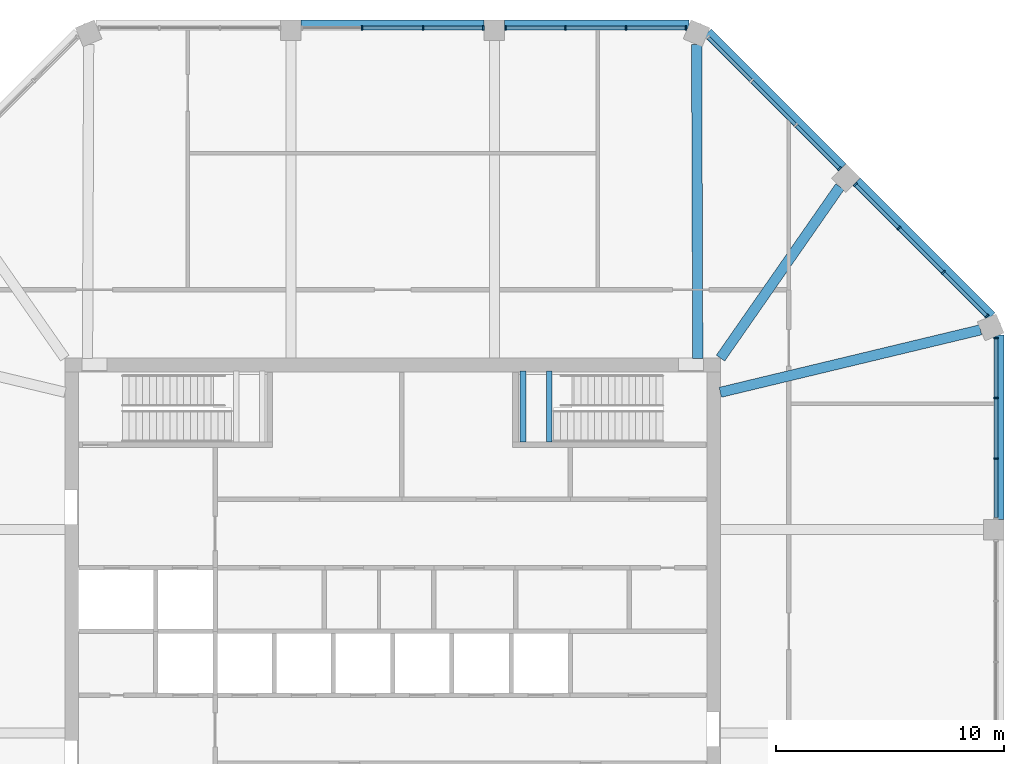
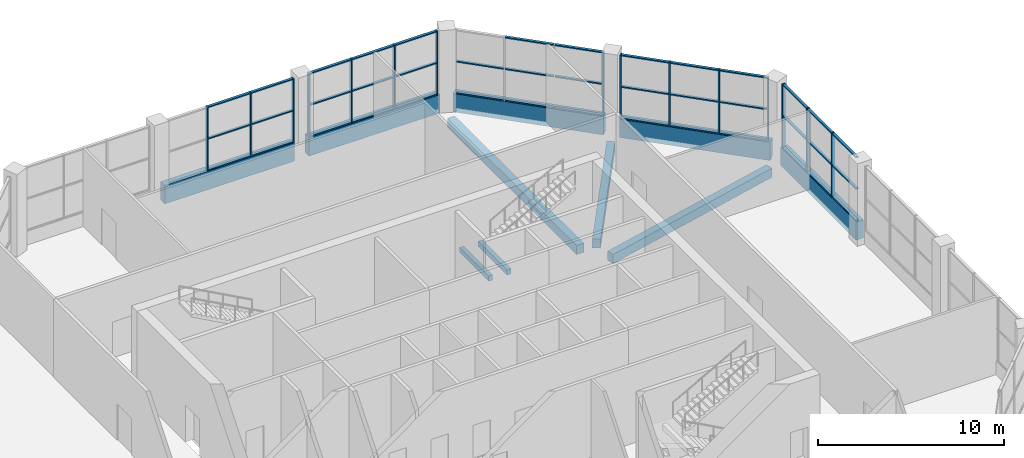
# One storey, part 7 of 15: 56 members, 10 beams, 5 elements without a shape of their own.
"""IFC4 building model written with IfcOpenShell, lengths in metres."""

from ifc_helpers import new_model, si_unit, direction, frame, origin, origin_2d, place, context, subcontext, project, spatial, rectangle, extrude, material, material_profile, profile_set, type_object, element, aggregate, save


model = new_model("IFC4")

# Units and contexts
model_context = context("Model", 3, precision=1e-05, world=origin(), true_north=direction((0.0, 1.0)))
body_context = subcontext(model_context, "Body", "Model", "MODEL_VIEW")
ifc_project = project(units=[si_unit("LENGTHUNIT", "METRE"), si_unit("AREAUNIT", "SQUARE_METRE"), si_unit("VOLUMEUNIT", "CUBIC_METRE"), si_unit("PLANEANGLEUNIT", "RADIAN"), si_unit("MASSUNIT", "GRAM", prefix="KILO")], contexts=[model_context])

# Site, building, storey
site_placement = place(None, origin())
site = spatial("IfcSite", under=ifc_project, at=site_placement, CompositionType="ELEMENT")
building_placement = place(site_placement, origin())
building = spatial("IfcBuilding", under=site, at=building_placement, Name="Msitu Wima Residences", CompositionType="ELEMENT")
storey_placement = place(building_placement, frame((0.0, 0.0, 314.699951171875)))
storey = spatial("IfcBuildingStorey", under=building, at=storey_placement, Name="L73", CompositionType="ELEMENT", Elevation=314.699951171875)

# Beams
ifc_material_1 = material(Name="Concrete C50/60", Category="concrete")
ifc_material_profile_1 = material_profile(ifc_material_1, rectangle(XDim=0.449951171875, YDim=0.60009765625, at=origin_2d()), Name="RC 450x600")
ifc_profile_set_1 = profile_set([ifc_material_profile_1], Name="Concrete C50/60")
beam_type_1 = type_object("IfcBeamType", Name="Beam RC 450x600 Concrete C50/60", PredefinedType="BEAM", material=ifc_profile_set_1)
beam_1_placement = place(storey_placement, frame((25.819091796875, 13.242431640625, -0.599853515625), z_axis=(-0.972353359268, -0.233514335148, 0.0), x_axis=(0.233514335148, -0.972353359268, 0.0)))
element("IfcBeam", 1, at=beam_1_placement, inside=storey, type_object=beam_type_1, Name="Beam L73 C-NE0", PredefinedType="BEAM", context=body_context, shape_type="SweptSolid", body=[
    extrude(rectangle(XDim=0.449951171875, YDim=0.60009765625, at=origin_2d()), origin(), (0.0, 0.0, 1.0), 11.755615234375),
])
beam_2_placement = place(storey_placement, frame((19.6416015625, 19.52783203125, -0.599853515625), z_axis=(-0.571427822633, -0.820652328042, 0.0), x_axis=(0.820652328042, -0.571427822633, 0.0)))
element("IfcBeam", 2, at=beam_2_placement, inside=storey, type_object=beam_type_1, Name="Beam L73 C-NE1", PredefinedType="BEAM", context=body_context, shape_type="SweptSolid", body=[
    extrude(rectangle(XDim=0.449951171875, YDim=0.60009765625, at=origin_2d()), origin(), (0.0, 0.0, 1.0), 9.173095703125),
])
beam_3_placement = place(storey_placement, frame((13.3505859375, 25.774169921875, -0.599853515625), z_axis=(0.003594933206, -0.999993538207, 0.0), x_axis=(0.999993538207, 0.003594933206, 0.0)))
element("IfcBeam", 3, at=beam_3_placement, inside=storey, type_object=beam_type_1, Name="Beam L73 C-N0", PredefinedType="BEAM", context=body_context, shape_type="SweptSolid", body=[
    extrude(rectangle(XDim=0.449951171875, YDim=0.60009765625, at=origin_2d()), origin(), (0.0, 0.0, 1.0), 13.7861328125),
])
ifc_material_2 = material(Name="Concrete C40/50", Category="concrete")
ifc_material_profile_2 = material_profile(ifc_material_2, rectangle(XDim=0.25, YDim=0.35009765625, at=origin_2d()), Name="RC 250x350")
ifc_profile_set_2 = profile_set([ifc_material_profile_2], Name="Concrete C40/50")
beam_type_2 = type_object("IfcBeamType", Name="Landing beam RC 250x350", PredefinedType="BEAM", material=ifc_profile_set_2)
for number, where, z_axis, x_axis, name in (
    (4, (6.875, 8.324951171875, 2.406982421875), (0.0, 1.0, 0.0), (-1.0, 0.0, 0.0), "Stair 3 landing beam"),
    (5, (5.72509765625, 8.324951171875, 2.406982421875), (0.0, 1.0, 0.0), (-1.0, 0.0, 0.0), "Stair 3 landing beam"),
):
    element("IfcBeam", number, at=place(storey_placement, frame(where, z_axis=z_axis, x_axis=x_axis)), inside=storey, type_object=beam_type_2, Name=name, PredefinedType="BEAM", context=body_context, shape_type="SweptSolid", body=[
        extrude(rectangle(XDim=0.25, YDim=0.35009765625, at=origin_2d()), origin(), (0.0, 0.0, 1.0), 3.10009765625),
    ])

# Curtain wall, members
ifc_material_3 = material(Name="Anodised aluminium, bronze finish, solar control laminated double glazing", Category="aluminium")
curtain_wall_type = type_object("IfcCurtainWallType", Name="Curtain wall CW3 top lounge wall", PredefinedType="NOTDEFINED", material=ifc_material_3)
curtain_wall_1_placement = place(storey_placement, origin())
curtain_wall_1 = element("IfcCurtainWall", 6, at=curtain_wall_1_placement, inside=storey, type_object=curtain_wall_type, Name="Curtain wall CW3 L73 E2", PredefinedType="NOTDEFINED")
ifc_material_4 = material(Name="Anodised aluminium, bronze finish", Category="aluminium")
ifc_material_profile_3 = material_profile(ifc_material_4, rectangle(XDim=0.199951171875, YDim=0.074951171875, at=origin_2d()), Name="Mullion 75x200")
ifc_profile_set_3 = profile_set([ifc_material_profile_3], Name="Anodised aluminium, bronze finish")
member_type_1 = type_object("IfcMemberType", Name="Mullion CW3 75x200", PredefinedType="MULLION", material=ifc_profile_set_3)
member_1_placement = place(storey_placement, frame((26.5, 7.58544921875, 0.900146484375), z_axis=(0.0, 0.0, 1.0), x_axis=(-1.0, 0.0, 0.0)))
member_1 = element("IfcMember", 7, at=member_1_placement, type_object=member_type_1, Name="CW3 mullion 2", PredefinedType="MULLION", context=body_context, shape_type="SweptSolid", body=[
    extrude(rectangle(XDim=0.199951171875, YDim=0.074951171875, at=origin_2d()), origin(), (0.0, 0.0, 1.0), 4.199951171875),
])
member_2_placement = place(storey_placement, frame((26.5, 10.252197265625, 0.900146484375), z_axis=(0.0, 0.0, 1.0), x_axis=(-1.0, 0.0, 0.0)))
member_2 = element("IfcMember", 8, at=member_2_placement, type_object=member_type_1, Name="CW3 mullion 3", PredefinedType="MULLION", context=body_context, shape_type="SweptSolid", body=[
    extrude(rectangle(XDim=0.199951171875, YDim=0.074951171875, at=origin_2d()), origin(), (0.0, 0.0, 1.0), 4.199951171875),
])
member_3_placement = place(storey_placement, frame((26.5, 12.88134765625, 0.900146484375), z_axis=(0.0, 0.0, 1.0), x_axis=(-1.0, 0.0, 0.0)))
member_3 = element("IfcMember", 9, at=member_3_placement, type_object=member_type_1, Name="CW3 mullion 4", PredefinedType="MULLION", context=body_context, shape_type="SweptSolid", body=[
    extrude(rectangle(XDim=0.199951171875, YDim=0.074951171875, at=origin_2d()), origin(), (0.0, 0.0, 1.0), 4.199951171875),
])

curtain_wall_2_placement = place(storey_placement, origin())
curtain_wall_2 = element("IfcCurtainWall", 10, at=curtain_wall_2_placement, inside=storey, type_object=curtain_wall_type, Name="Curtain wall CW3 L73 NE0", PredefinedType="NOTDEFINED")
member_4_placement = place(storey_placement, frame((26.099853515625, 13.847412109375, 0.900146484375), z_axis=(0.0, 0.0, 1.0), x_axis=(-0.707106781187, -0.707106781187, 0.0)))
member_4 = element("IfcMember", 11, at=member_4_placement, type_object=member_type_1, Name="CW3 mullion 1", PredefinedType="MULLION", context=body_context, shape_type="SweptSolid", body=[
    extrude(rectangle(XDim=0.199951171875, YDim=0.074951171875, at=origin_2d()), origin(), (0.0, 0.0, 1.0), 4.199951171875),
])
member_5_placement = place(storey_placement, frame((24.181396484375, 15.765869140625, 0.900146484375), z_axis=(0.0, 0.0, 1.0), x_axis=(-0.707106781187, -0.707106781187, 0.0)))
member_5 = element("IfcMember", 12, at=member_5_placement, type_object=member_type_1, Name="CW3 mullion 2", PredefinedType="MULLION", context=body_context, shape_type="SweptSolid", body=[
    extrude(rectangle(XDim=0.199951171875, YDim=0.074951171875, at=origin_2d()), origin(), (0.0, 0.0, 1.0), 4.199951171875),
])
member_6_placement = place(storey_placement, frame((22.236572265625, 17.710693359375, 0.900146484375), z_axis=(0.0, 0.0, 1.0), x_axis=(-0.707106781187, -0.707106781187, 0.0)))
member_6 = element("IfcMember", 13, at=member_6_placement, type_object=member_type_1, Name="CW3 mullion 3", PredefinedType="MULLION", context=body_context, shape_type="SweptSolid", body=[
    extrude(rectangle(XDim=0.199951171875, YDim=0.074951171875, at=origin_2d()), origin(), (0.0, 0.0, 1.0), 4.199951171875),
])
member_7_placement = place(storey_placement, frame((20.318359375, 19.62890625, 0.900146484375), z_axis=(0.0, 0.0, 1.0), x_axis=(-0.707106781187, -0.707106781187, 0.0)))
member_7 = element("IfcMember", 14, at=member_7_placement, type_object=member_type_1, Name="CW3 mullion 4", PredefinedType="MULLION", context=body_context, shape_type="SweptSolid", body=[
    extrude(rectangle(XDim=0.199951171875, YDim=0.074951171875, at=origin_2d()), origin(), (0.0, 0.0, 1.0), 4.199951171875),
])

# Curtain wall, member
curtain_wall_3_placement = place(storey_placement, origin())
curtain_wall_3 = element("IfcCurtainWall", 15, at=curtain_wall_3_placement, inside=storey, type_object=curtain_wall_type, Name="Curtain wall CW3 L73 NE1", PredefinedType="NOTDEFINED")
member_8_placement = place(storey_placement, frame((19.62890625, 20.318359375, 0.900146484375), z_axis=(0.0, 0.0, 1.0), x_axis=(-0.707106720591, -0.707106841783, 0.0)))
member_8 = element("IfcMember", 16, at=member_8_placement, type_object=member_type_1, Name="CW3 mullion 1", PredefinedType="MULLION", context=body_context, shape_type="SweptSolid", body=[
    extrude(rectangle(XDim=0.199951171875, YDim=0.074951171875, at=origin_2d()), origin(), (0.0, 0.0, 1.0), 4.199951171875),
])

# Curtain wall, members
curtain_wall_4_placement = place(storey_placement, origin())
curtain_wall_4 = element("IfcCurtainWall", 17, at=curtain_wall_4_placement, inside=storey, type_object=curtain_wall_type, Name="Curtain wall CW3 L73 N0", PredefinedType="NOTDEFINED")
member_9_placement = place(storey_placement, frame((12.88134765625, 26.5, 0.900146484375), z_axis=(0.0, 0.0, 1.0), x_axis=(0.0, -1.0, 0.0)))
member_9 = element("IfcMember", 18, at=member_9_placement, type_object=member_type_1, Name="CW3 mullion 1", PredefinedType="MULLION", context=body_context, shape_type="SweptSolid", body=[
    extrude(rectangle(XDim=0.199951171875, YDim=0.074951171875, at=origin_2d()), origin(), (0.0, 0.0, 1.0), 4.199951171875),
])
member_10_placement = place(storey_placement, frame((10.252197265625, 26.5, 0.900146484375), z_axis=(0.0, 0.0, 1.0), x_axis=(0.0, -1.0, 0.0)))
member_10 = element("IfcMember", 19, at=member_10_placement, type_object=member_type_1, Name="CW3 mullion 2", PredefinedType="MULLION", context=body_context, shape_type="SweptSolid", body=[
    extrude(rectangle(XDim=0.199951171875, YDim=0.074951171875, at=origin_2d()), origin(), (0.0, 0.0, 1.0), 4.199951171875),
])
member_11_placement = place(storey_placement, frame((7.58544921875, 26.5, 0.900146484375), z_axis=(0.0, 0.0, 1.0), x_axis=(0.0, -1.0, 0.0)))
member_11 = element("IfcMember", 20, at=member_11_placement, type_object=member_type_1, Name="CW3 mullion 3", PredefinedType="MULLION", context=body_context, shape_type="SweptSolid", body=[
    extrude(rectangle(XDim=0.199951171875, YDim=0.074951171875, at=origin_2d()), origin(), (0.0, 0.0, 1.0), 4.199951171875),
])
member_12_placement = place(storey_placement, frame((4.9560546875, 26.5, 0.900146484375), z_axis=(0.0, 0.0, 1.0), x_axis=(0.0, -1.0, 0.0)))
member_12 = element("IfcMember", 21, at=member_12_placement, type_object=member_type_1, Name="CW3 mullion 4", PredefinedType="MULLION", context=body_context, shape_type="SweptSolid", body=[
    extrude(rectangle(XDim=0.199951171875, YDim=0.074951171875, at=origin_2d()), origin(), (0.0, 0.0, 1.0), 4.199951171875),
])

curtain_wall_5_placement = place(storey_placement, origin())
curtain_wall_5 = element("IfcCurtainWall", 22, at=curtain_wall_5_placement, inside=storey, type_object=curtain_wall_type, Name="Curtain wall CW3 L73 N1", PredefinedType="NOTDEFINED")
member_13_placement = place(storey_placement, frame((3.981201171875, 26.5, 0.900146484375), z_axis=(0.0, 0.0, 1.0), x_axis=(0.0, -1.0, 0.0)))
member_13 = element("IfcMember", 23, at=member_13_placement, type_object=member_type_1, Name="CW3 mullion 1", PredefinedType="MULLION", context=body_context, shape_type="SweptSolid", body=[
    extrude(rectangle(XDim=0.199951171875, YDim=0.074951171875, at=origin_2d()), origin(), (0.0, 0.0, 1.0), 4.199951171875),
])
member_14_placement = place(storey_placement, frame((1.339599609375, 26.5, 0.900146484375), z_axis=(0.0, 0.0, 1.0), x_axis=(0.0, -1.0, 0.0)))
member_14 = element("IfcMember", 24, at=member_14_placement, type_object=member_type_1, Name="CW3 mullion 2", PredefinedType="MULLION", context=body_context, shape_type="SweptSolid", body=[
    extrude(rectangle(XDim=0.199951171875, YDim=0.074951171875, at=origin_2d()), origin(), (0.0, 0.0, 1.0), 4.199951171875),
])
member_15_placement = place(storey_placement, frame((-1.339599609375, 26.5, 0.900146484375), z_axis=(0.0, 0.0, 1.0), x_axis=(0.0, -1.0, 0.0)))
member_15 = element("IfcMember", 25, at=member_15_placement, type_object=member_type_1, Name="CW3 mullion 3", PredefinedType="MULLION", context=body_context, shape_type="SweptSolid", body=[
    extrude(rectangle(XDim=0.199951171875, YDim=0.074951171875, at=origin_2d()), origin(), (0.0, 0.0, 1.0), 4.199951171875),
])

# Beams
ifc_material_profile_4 = material_profile(ifc_material_1, rectangle(XDim=0.449951171875, YDim=1.199951171875, at=origin_2d()), Name="RC 450x1200")
ifc_profile_set_4 = profile_set([ifc_material_profile_4], Name="Concrete C50/60")
beam_type_3 = type_object("IfcBeamType", Name="Spandrel RC 450x1200 Concrete C50/60", PredefinedType="SPANDREL", material=ifc_profile_set_4)
beam_4_placement = place(storey_placement, frame((26.625, 4.918701171875, 0.300048828125), z_axis=(0.0, 1.0, 0.0), x_axis=(-1.0, 0.0, 0.0)))
element("IfcBeam", 26, at=beam_4_placement, inside=storey, type_object=beam_type_3, Name="Spandrel L73 E2", PredefinedType="SPANDREL", context=body_context, shape_type="SweptSolid", body=[
    extrude(rectangle(XDim=0.449951171875, YDim=1.199951171875, at=origin_2d()), origin(), (0.0, 0.0, 1.0), 8.105224609375),
])
for number, where, z_axis, x_axis, name in (
    (27, (26.2890625, 13.8349609375, 0.300048828125), (-0.707106781187, 0.707106781187, 0.0), (-0.707106781187, -0.707106781187, 0.0), "Spandrel L73 NE0"),
    (28, (19.743896484375, 20.380126953125, 0.300048828125), (-0.707106781187, 0.707106781187, 0.0), (-0.707106781187, -0.707106781187, 0.0), "Spandrel L73 NE1"),
):
    element("IfcBeam", number, at=place(storey_placement, frame(where, z_axis=z_axis, x_axis=x_axis)), inside=storey, type_object=beam_type_3, Name=name, PredefinedType="SPANDREL", context=body_context, shape_type="SweptSolid", body=[
        extrude(rectangle(XDim=0.449951171875, YDim=1.199951171875, at=origin_2d()), origin(), (0.0, 0.0, 1.0), 8.3564453125),
    ])
beam_5_placement = place(storey_placement, frame((13.02392578125, 26.625, 0.300048828125), z_axis=(-1.0, 0.0, 0.0), x_axis=(0.0, -1.0, 0.0)))
element("IfcBeam", 29, at=beam_5_placement, inside=storey, type_object=beam_type_3, Name="Spandrel L73 N0", PredefinedType="SPANDREL", context=body_context, shape_type="SweptSolid", body=[
    extrude(rectangle(XDim=0.449951171875, YDim=1.199951171875, at=origin_2d()), origin(), (0.0, 0.0, 1.0), 8.105224609375),
])
beam_6_placement = place(storey_placement, frame((4.0185546875, 26.625, 0.300048828125), z_axis=(-1.0, 0.0, 0.0), x_axis=(0.0, -1.0, 0.0)))
element("IfcBeam", 30, at=beam_6_placement, inside=storey, type_object=beam_type_3, Name="Spandrel L73 N1", PredefinedType="SPANDREL", context=body_context, shape_type="SweptSolid", body=[
    extrude(rectangle(XDim=0.449951171875, YDim=1.199951171875, at=origin_2d()), origin(), (0.0, 0.0, 1.0), 8.037109375),
])

# Member
ifc_material_profile_5 = material_profile(ifc_material_4, rectangle(XDim=0.159912109375, YDim=0.074951171875, at=origin_2d()), Name="Transom 75x160")
ifc_profile_set_5 = profile_set([ifc_material_profile_5], Name="Anodised aluminium, bronze finish")
member_type_2 = type_object("IfcMemberType", Name="Transom CW3 75x160", PredefinedType="USERDEFINED", material=ifc_profile_set_5)
member_16_placement = place(storey_placement, frame((26.5, 4.99365234375, 0.9375), z_axis=(0.0, 1.0, 0.0), x_axis=(-1.0, 0.0, 0.0)))
member_16 = element("IfcMember", 31, at=member_16_placement, type_object=member_type_2, Name="CW3 transom 1.1", ObjectType="TRANSOM", PredefinedType="USERDEFINED", context=body_context, shape_type="SweptSolid", body=[
    extrude(rectangle(XDim=0.159912109375, YDim=0.074951171875, at=origin_2d()), origin(), (0.0, 0.0, 1.0), 2.55419921875),
])

member_17_placement = place(storey_placement, frame((26.5, 4.99365234375, 3.0), z_axis=(0.0, 1.0, 0.0), x_axis=(-1.0, 0.0, 0.0)))
member_17 = element("IfcMember", 32, at=member_17_placement, type_object=member_type_2, Name="CW3 transom 1.2", ObjectType="TRANSOM", PredefinedType="USERDEFINED", context=body_context, shape_type="SweptSolid", body=[
    extrude(rectangle(XDim=0.159912109375, YDim=0.074951171875, at=origin_2d()), origin(), (0.0, 0.0, 1.0), 2.55419921875),
])

member_18_placement = place(storey_placement, frame((26.5, 4.99365234375, 5.0625), z_axis=(0.0, 1.0, 0.0), x_axis=(-1.0, 0.0, 0.0)))
member_18 = element("IfcMember", 33, at=member_18_placement, type_object=member_type_2, Name="CW3 transom 1.3", ObjectType="TRANSOM", PredefinedType="USERDEFINED", context=body_context, shape_type="SweptSolid", body=[
    extrude(rectangle(XDim=0.159912109375, YDim=0.074951171875, at=origin_2d()), origin(), (0.0, 0.0, 1.0), 2.55419921875),
])

member_19_placement = place(storey_placement, frame((26.5, 7.622802734375, 0.9375), z_axis=(0.0, 1.0, 0.0), x_axis=(-1.0, 0.0, 0.0)))
member_19 = element("IfcMember", 34, at=member_19_placement, type_object=member_type_2, Name="CW3 transom 2.1", ObjectType="TRANSOM", PredefinedType="USERDEFINED", context=body_context, shape_type="SweptSolid", body=[
    extrude(rectangle(XDim=0.159912109375, YDim=0.074951171875, at=origin_2d()), origin(), (0.0, 0.0, 1.0), 2.591796875),
])

member_20_placement = place(storey_placement, frame((26.5, 7.622802734375, 3.0), z_axis=(0.0, 1.0, 0.0), x_axis=(-1.0, 0.0, 0.0)))
member_20 = element("IfcMember", 35, at=member_20_placement, type_object=member_type_2, Name="CW3 transom 2.2", ObjectType="TRANSOM", PredefinedType="USERDEFINED", context=body_context, shape_type="SweptSolid", body=[
    extrude(rectangle(XDim=0.159912109375, YDim=0.074951171875, at=origin_2d()), origin(), (0.0, 0.0, 1.0), 2.591796875),
])

member_21_placement = place(storey_placement, frame((26.5, 7.622802734375, 5.0625), z_axis=(0.0, 1.0, 0.0), x_axis=(-1.0, 0.0, 0.0)))
member_21 = element("IfcMember", 36, at=member_21_placement, type_object=member_type_2, Name="CW3 transom 2.3", ObjectType="TRANSOM", PredefinedType="USERDEFINED", context=body_context, shape_type="SweptSolid", body=[
    extrude(rectangle(XDim=0.159912109375, YDim=0.074951171875, at=origin_2d()), origin(), (0.0, 0.0, 1.0), 2.591796875),
])

member_22_placement = place(storey_placement, frame((26.5, 10.28955078125, 0.9375), z_axis=(0.0, 1.0, 0.0), x_axis=(-1.0, 0.0, 0.0)))
member_22 = element("IfcMember", 37, at=member_22_placement, type_object=member_type_2, Name="CW3 transom 3.1", ObjectType="TRANSOM", PredefinedType="USERDEFINED", context=body_context, shape_type="SweptSolid", body=[
    extrude(rectangle(XDim=0.159912109375, YDim=0.074951171875, at=origin_2d()), origin(), (0.0, 0.0, 1.0), 2.55419921875),
])

member_23_placement = place(storey_placement, frame((26.5, 10.28955078125, 3.0), z_axis=(0.0, 1.0, 0.0), x_axis=(-1.0, 0.0, 0.0)))
member_23 = element("IfcMember", 38, at=member_23_placement, type_object=member_type_2, Name="CW3 transom 3.2", ObjectType="TRANSOM", PredefinedType="USERDEFINED", context=body_context, shape_type="SweptSolid", body=[
    extrude(rectangle(XDim=0.159912109375, YDim=0.074951171875, at=origin_2d()), origin(), (0.0, 0.0, 1.0), 2.55419921875),
])

member_24_placement = place(storey_placement, frame((26.5, 10.28955078125, 5.0625), z_axis=(0.0, 1.0, 0.0), x_axis=(-1.0, 0.0, 0.0)))
member_24 = element("IfcMember", 39, at=member_24_placement, type_object=member_type_2, Name="CW3 transom 3.3", ObjectType="TRANSOM", PredefinedType="USERDEFINED", context=body_context, shape_type="SweptSolid", body=[
    extrude(rectangle(XDim=0.159912109375, YDim=0.074951171875, at=origin_2d()), origin(), (0.0, 0.0, 1.0), 2.55419921875),
])

aggregate(curtain_wall_1, [member_1, member_2, member_3, member_16, member_17, member_18, member_19, member_20, member_21, member_22, member_23, member_24])

member_25_placement = place(storey_placement, frame((26.0732421875, 13.8740234375, 0.9375), z_axis=(-0.707106781187, 0.707106781187, 0.0), x_axis=(-0.707106781187, -0.707106781187, 0.0)))
member_25 = element("IfcMember", 40, at=member_25_placement, type_object=member_type_2, Name="CW3 transom 1.1", ObjectType="TRANSOM", PredefinedType="USERDEFINED", context=body_context, shape_type="SweptSolid", body=[
    extrude(rectangle(XDim=0.159912109375, YDim=0.074951171875, at=origin_2d()), origin(), (0.0, 0.0, 1.0), 2.637939453125),
])

member_26_placement = place(storey_placement, frame((26.0732421875, 13.8740234375, 3.0), z_axis=(-0.707106781187, 0.707106781187, 0.0), x_axis=(-0.707106781187, -0.707106781187, 0.0)))
member_26 = element("IfcMember", 41, at=member_26_placement, type_object=member_type_2, Name="CW3 transom 1.2", ObjectType="TRANSOM", PredefinedType="USERDEFINED", context=body_context, shape_type="SweptSolid", body=[
    extrude(rectangle(XDim=0.159912109375, YDim=0.074951171875, at=origin_2d()), origin(), (0.0, 0.0, 1.0), 2.637939453125),
])

member_27_placement = place(storey_placement, frame((26.0732421875, 13.8740234375, 5.0625), z_axis=(-0.707106781187, 0.707106781187, 0.0), x_axis=(-0.707106781187, -0.707106781187, 0.0)))
member_27 = element("IfcMember", 42, at=member_27_placement, type_object=member_type_2, Name="CW3 transom 1.3", ObjectType="TRANSOM", PredefinedType="USERDEFINED", context=body_context, shape_type="SweptSolid", body=[
    extrude(rectangle(XDim=0.159912109375, YDim=0.074951171875, at=origin_2d()), origin(), (0.0, 0.0, 1.0), 2.637939453125),
])

member_28_placement = place(storey_placement, frame((24.155029296875, 15.792236328125, 0.9375), z_axis=(-0.707106781187, 0.707106781187, 0.0), x_axis=(-0.707106781187, -0.707106781187, 0.0)))
member_28 = element("IfcMember", 43, at=member_28_placement, type_object=member_type_2, Name="CW3 transom 2.1", ObjectType="TRANSOM", PredefinedType="USERDEFINED", context=body_context, shape_type="SweptSolid", body=[
    extrude(rectangle(XDim=0.159912109375, YDim=0.074951171875, at=origin_2d()), origin(), (0.0, 0.0, 1.0), 2.675537109375),
])

member_29_placement = place(storey_placement, frame((24.155029296875, 15.792236328125, 3.0), z_axis=(-0.707106781187, 0.707106781187, 0.0), x_axis=(-0.707106781187, -0.707106781187, 0.0)))
member_29 = element("IfcMember", 44, at=member_29_placement, type_object=member_type_2, Name="CW3 transom 2.2", ObjectType="TRANSOM", PredefinedType="USERDEFINED", context=body_context, shape_type="SweptSolid", body=[
    extrude(rectangle(XDim=0.159912109375, YDim=0.074951171875, at=origin_2d()), origin(), (0.0, 0.0, 1.0), 2.675537109375),
])

member_30_placement = place(storey_placement, frame((24.155029296875, 15.792236328125, 5.0625), z_axis=(-0.707106781187, 0.707106781187, 0.0), x_axis=(-0.707106781187, -0.707106781187, 0.0)))
member_30 = element("IfcMember", 45, at=member_30_placement, type_object=member_type_2, Name="CW3 transom 2.3", ObjectType="TRANSOM", PredefinedType="USERDEFINED", context=body_context, shape_type="SweptSolid", body=[
    extrude(rectangle(XDim=0.159912109375, YDim=0.074951171875, at=origin_2d()), origin(), (0.0, 0.0, 1.0), 2.675537109375),
])

member_31_placement = place(storey_placement, frame((22.210205078125, 17.737060546875, 0.9375), z_axis=(-0.707060506079, 0.707153053266, 0.0), x_axis=(-0.707153053266, -0.707060506079, 0.0)))
member_31 = element("IfcMember", 46, at=member_31_placement, type_object=member_type_2, Name="CW3 transom 3.1", ObjectType="TRANSOM", PredefinedType="USERDEFINED", context=body_context, shape_type="SweptSolid", body=[
    extrude(rectangle(XDim=0.159912109375, YDim=0.074951171875, at=origin_2d()), origin(), (0.0, 0.0, 1.0), 2.637939453125),
])

member_32_placement = place(storey_placement, frame((22.210205078125, 17.737060546875, 3.0), z_axis=(-0.707060506079, 0.707153053266, 0.0), x_axis=(-0.707153053266, -0.707060506079, 0.0)))
member_32 = element("IfcMember", 47, at=member_32_placement, type_object=member_type_2, Name="CW3 transom 3.2", ObjectType="TRANSOM", PredefinedType="USERDEFINED", context=body_context, shape_type="SweptSolid", body=[
    extrude(rectangle(XDim=0.159912109375, YDim=0.074951171875, at=origin_2d()), origin(), (0.0, 0.0, 1.0), 2.637939453125),
])

member_33_placement = place(storey_placement, frame((22.210205078125, 17.737060546875, 5.0625), z_axis=(-0.707060506079, 0.707153053266, 0.0), x_axis=(-0.707153053266, -0.707060506079, 0.0)))
member_33 = element("IfcMember", 48, at=member_33_placement, type_object=member_type_2, Name="CW3 transom 3.3", ObjectType="TRANSOM", PredefinedType="USERDEFINED", context=body_context, shape_type="SweptSolid", body=[
    extrude(rectangle(XDim=0.159912109375, YDim=0.074951171875, at=origin_2d()), origin(), (0.0, 0.0, 1.0), 2.637939453125),
])

aggregate(curtain_wall_2, [member_4, member_5, member_6, member_7, member_25, member_26, member_27, member_28, member_29, member_30, member_31, member_32, member_33])

member_34_placement = place(storey_placement, frame((19.6025390625, 20.344970703125, 0.9375), z_axis=(-0.707153053266, 0.707060506079, 0.0), x_axis=(-0.707060506079, -0.707153053266, 0.0)))
member_34 = element("IfcMember", 49, at=member_34_placement, type_object=member_type_2, Name="CW3 transom 1.1", ObjectType="TRANSOM", PredefinedType="USERDEFINED", context=body_context, shape_type="SweptSolid", body=[
    extrude(rectangle(XDim=0.159912109375, YDim=0.074951171875, at=origin_2d()), origin(), (0.0, 0.0, 1.0), 2.637939453125),
])

member_35_placement = place(storey_placement, frame((19.6025390625, 20.344970703125, 3.0), z_axis=(-0.707153053266, 0.707060506079, 0.0), x_axis=(-0.707060506079, -0.707153053266, 0.0)))
member_35 = element("IfcMember", 50, at=member_35_placement, type_object=member_type_2, Name="CW3 transom 1.2", ObjectType="TRANSOM", PredefinedType="USERDEFINED", context=body_context, shape_type="SweptSolid", body=[
    extrude(rectangle(XDim=0.159912109375, YDim=0.074951171875, at=origin_2d()), origin(), (0.0, 0.0, 1.0), 2.637939453125),
])

member_36_placement = place(storey_placement, frame((19.6025390625, 20.344970703125, 5.0625), z_axis=(-0.707153053266, 0.707060506079, 0.0), x_axis=(-0.707060506079, -0.707153053266, 0.0)))
member_36 = element("IfcMember", 51, at=member_36_placement, type_object=member_type_2, Name="CW3 transom 1.3", ObjectType="TRANSOM", PredefinedType="USERDEFINED", context=body_context, shape_type="SweptSolid", body=[
    extrude(rectangle(XDim=0.159912109375, YDim=0.074951171875, at=origin_2d()), origin(), (0.0, 0.0, 1.0), 2.637939453125),
])

member_37_placement = place(storey_placement, frame((17.68408203125, 22.26318359375, 0.9375), z_axis=(-0.707106781187, 0.707106781187, 0.0), x_axis=(-0.707106781187, -0.707106781187, 0.0)))
member_37 = element("IfcMember", 52, at=member_37_placement, type_object=member_type_2, Name="CW3 transom 2.1", ObjectType="TRANSOM", PredefinedType="USERDEFINED", context=body_context, shape_type="SweptSolid", body=[
    extrude(rectangle(XDim=0.159912109375, YDim=0.074951171875, at=origin_2d()), origin(), (0.0, 0.0, 1.0), 2.675537109375),
])

member_38_placement = place(storey_placement, frame((17.68408203125, 22.26318359375, 3.0), z_axis=(-0.707106781187, 0.707106781187, 0.0), x_axis=(-0.707106781187, -0.707106781187, 0.0)))
member_38 = element("IfcMember", 53, at=member_38_placement, type_object=member_type_2, Name="CW3 transom 2.2", ObjectType="TRANSOM", PredefinedType="USERDEFINED", context=body_context, shape_type="SweptSolid", body=[
    extrude(rectangle(XDim=0.159912109375, YDim=0.074951171875, at=origin_2d()), origin(), (0.0, 0.0, 1.0), 2.675537109375),
])

member_39_placement = place(storey_placement, frame((17.68408203125, 22.26318359375, 5.0625), z_axis=(-0.707106781187, 0.707106781187, 0.0), x_axis=(-0.707106781187, -0.707106781187, 0.0)))
member_39 = element("IfcMember", 54, at=member_39_placement, type_object=member_type_2, Name="CW3 transom 2.3", ObjectType="TRANSOM", PredefinedType="USERDEFINED", context=body_context, shape_type="SweptSolid", body=[
    extrude(rectangle(XDim=0.159912109375, YDim=0.074951171875, at=origin_2d()), origin(), (0.0, 0.0, 1.0), 2.675537109375),
])

member_40_placement = place(storey_placement, frame((15.7392578125, 24.2080078125, 0.9375), z_axis=(-0.707106781187, 0.707106781187, 0.0), x_axis=(-0.707106781187, -0.707106781187, 0.0)))
member_40 = element("IfcMember", 55, at=member_40_placement, type_object=member_type_2, Name="CW3 transom 3.1", ObjectType="TRANSOM", PredefinedType="USERDEFINED", context=body_context, shape_type="SweptSolid", body=[
    extrude(rectangle(XDim=0.159912109375, YDim=0.074951171875, at=origin_2d()), origin(), (0.0, 0.0, 1.0), 2.637939453125),
])

member_41_placement = place(storey_placement, frame((15.7392578125, 24.2080078125, 3.0), z_axis=(-0.707106781187, 0.707106781187, 0.0), x_axis=(-0.707106781187, -0.707106781187, 0.0)))
member_41 = element("IfcMember", 56, at=member_41_placement, type_object=member_type_2, Name="CW3 transom 3.2", ObjectType="TRANSOM", PredefinedType="USERDEFINED", context=body_context, shape_type="SweptSolid", body=[
    extrude(rectangle(XDim=0.159912109375, YDim=0.074951171875, at=origin_2d()), origin(), (0.0, 0.0, 1.0), 2.637939453125),
])

aggregate(curtain_wall_3, [member_8, member_34, member_35, member_36, member_37, member_38, member_39, member_40, member_41])

member_42_placement = place(storey_placement, frame((12.84375, 26.5, 0.9375), z_axis=(-1.0, 0.0, 0.0), x_axis=(0.0, -1.0, 0.0)))
member_42 = element("IfcMember", 57, at=member_42_placement, type_object=member_type_2, Name="CW3 transom 1.1", ObjectType="TRANSOM", PredefinedType="USERDEFINED", context=body_context, shape_type="SweptSolid", body=[
    extrude(rectangle(XDim=0.159912109375, YDim=0.074951171875, at=origin_2d()), origin(), (0.0, 0.0, 1.0), 2.55419921875),
])

member_43_placement = place(storey_placement, frame((12.84375, 26.5, 3.0), z_axis=(-1.0, 0.0, 0.0), x_axis=(0.0, -1.0, 0.0)))
member_43 = element("IfcMember", 58, at=member_43_placement, type_object=member_type_2, Name="CW3 transom 1.2", ObjectType="TRANSOM", PredefinedType="USERDEFINED", context=body_context, shape_type="SweptSolid", body=[
    extrude(rectangle(XDim=0.159912109375, YDim=0.074951171875, at=origin_2d()), origin(), (0.0, 0.0, 1.0), 2.55419921875),
])

member_44_placement = place(storey_placement, frame((12.84375, 26.5, 5.0625), z_axis=(-1.0, 0.0, 0.0), x_axis=(0.0, -1.0, 0.0)))
member_44 = element("IfcMember", 59, at=member_44_placement, type_object=member_type_2, Name="CW3 transom 1.3", ObjectType="TRANSOM", PredefinedType="USERDEFINED", context=body_context, shape_type="SweptSolid", body=[
    extrude(rectangle(XDim=0.159912109375, YDim=0.074951171875, at=origin_2d()), origin(), (0.0, 0.0, 1.0), 2.55419921875),
])

member_45_placement = place(storey_placement, frame((10.214599609375, 26.5, 0.9375), z_axis=(-1.0, 0.0, 0.0), x_axis=(0.0, -1.0, 0.0)))
member_45 = element("IfcMember", 60, at=member_45_placement, type_object=member_type_2, Name="CW3 transom 2.1", ObjectType="TRANSOM", PredefinedType="USERDEFINED", context=body_context, shape_type="SweptSolid", body=[
    extrude(rectangle(XDim=0.159912109375, YDim=0.074951171875, at=origin_2d()), origin(), (0.0, 0.0, 1.0), 2.591796875),
])

member_46_placement = place(storey_placement, frame((10.214599609375, 26.5, 3.0), z_axis=(-1.0, 0.0, 0.0), x_axis=(0.0, -1.0, 0.0)))
member_46 = element("IfcMember", 61, at=member_46_placement, type_object=member_type_2, Name="CW3 transom 2.2", ObjectType="TRANSOM", PredefinedType="USERDEFINED", context=body_context, shape_type="SweptSolid", body=[
    extrude(rectangle(XDim=0.159912109375, YDim=0.074951171875, at=origin_2d()), origin(), (0.0, 0.0, 1.0), 2.591796875),
])

member_47_placement = place(storey_placement, frame((10.214599609375, 26.5, 5.0625), z_axis=(-1.0, 0.0, 0.0), x_axis=(0.0, -1.0, 0.0)))
member_47 = element("IfcMember", 62, at=member_47_placement, type_object=member_type_2, Name="CW3 transom 2.3", ObjectType="TRANSOM", PredefinedType="USERDEFINED", context=body_context, shape_type="SweptSolid", body=[
    extrude(rectangle(XDim=0.159912109375, YDim=0.074951171875, at=origin_2d()), origin(), (0.0, 0.0, 1.0), 2.591796875),
])

member_48_placement = place(storey_placement, frame((7.5478515625, 26.5, 0.9375), z_axis=(-1.0, 0.0, 0.0), x_axis=(0.0, -1.0, 0.0)))
member_48 = element("IfcMember", 63, at=member_48_placement, type_object=member_type_2, Name="CW3 transom 3.1", ObjectType="TRANSOM", PredefinedType="USERDEFINED", context=body_context, shape_type="SweptSolid", body=[
    extrude(rectangle(XDim=0.159912109375, YDim=0.074951171875, at=origin_2d()), origin(), (0.0, 0.0, 1.0), 2.55419921875),
])

member_49_placement = place(storey_placement, frame((7.5478515625, 26.5, 3.0), z_axis=(-1.0, 0.0, 0.0), x_axis=(0.0, -1.0, 0.0)))
member_49 = element("IfcMember", 64, at=member_49_placement, type_object=member_type_2, Name="CW3 transom 3.2", ObjectType="TRANSOM", PredefinedType="USERDEFINED", context=body_context, shape_type="SweptSolid", body=[
    extrude(rectangle(XDim=0.159912109375, YDim=0.074951171875, at=origin_2d()), origin(), (0.0, 0.0, 1.0), 2.55419921875),
])

member_50_placement = place(storey_placement, frame((7.5478515625, 26.5, 5.0625), z_axis=(-1.0, 0.0, 0.0), x_axis=(0.0, -1.0, 0.0)))
member_50 = element("IfcMember", 65, at=member_50_placement, type_object=member_type_2, Name="CW3 transom 3.3", ObjectType="TRANSOM", PredefinedType="USERDEFINED", context=body_context, shape_type="SweptSolid", body=[
    extrude(rectangle(XDim=0.159912109375, YDim=0.074951171875, at=origin_2d()), origin(), (0.0, 0.0, 1.0), 2.55419921875),
])

aggregate(curtain_wall_4, [member_9, member_10, member_11, member_12, member_42, member_43, member_44, member_45, member_46, member_47, member_48, member_49, member_50])

member_51_placement = place(storey_placement, frame((3.943603515625, 26.5, 0.9375), z_axis=(-1.0, 0.0, 0.0), x_axis=(0.0, -1.0, 0.0)))
member_51 = element("IfcMember", 66, at=member_51_placement, type_object=member_type_2, Name="CW3 transom 1.1", ObjectType="TRANSOM", PredefinedType="USERDEFINED", context=body_context, shape_type="SweptSolid", body=[
    extrude(rectangle(XDim=0.159912109375, YDim=0.074951171875, at=origin_2d()), origin(), (0.0, 0.0, 1.0), 2.566650390625),
])

member_52_placement = place(storey_placement, frame((3.943603515625, 26.5, 3.0), z_axis=(-1.0, 0.0, 0.0), x_axis=(0.0, -1.0, 0.0)))
member_52 = element("IfcMember", 67, at=member_52_placement, type_object=member_type_2, Name="CW3 transom 1.2", ObjectType="TRANSOM", PredefinedType="USERDEFINED", context=body_context, shape_type="SweptSolid", body=[
    extrude(rectangle(XDim=0.159912109375, YDim=0.074951171875, at=origin_2d()), origin(), (0.0, 0.0, 1.0), 2.566650390625),
])

member_53_placement = place(storey_placement, frame((3.943603515625, 26.5, 5.0625), z_axis=(-1.0, 0.0, 0.0), x_axis=(0.0, -1.0, 0.0)))
member_53 = element("IfcMember", 68, at=member_53_placement, type_object=member_type_2, Name="CW3 transom 1.3", ObjectType="TRANSOM", PredefinedType="USERDEFINED", context=body_context, shape_type="SweptSolid", body=[
    extrude(rectangle(XDim=0.159912109375, YDim=0.074951171875, at=origin_2d()), origin(), (0.0, 0.0, 1.0), 2.566650390625),
])

member_54_placement = place(storey_placement, frame((1.302001953125, 26.5, 0.9375), z_axis=(-1.0, 0.0, 0.0), x_axis=(0.0, -1.0, 0.0)))
member_54 = element("IfcMember", 69, at=member_54_placement, type_object=member_type_2, Name="CW3 transom 2.1", ObjectType="TRANSOM", PredefinedType="USERDEFINED", context=body_context, shape_type="SweptSolid", body=[
    extrude(rectangle(XDim=0.159912109375, YDim=0.074951171875, at=origin_2d()), origin(), (0.0, 0.0, 1.0), 2.60400390625),
])

member_55_placement = place(storey_placement, frame((1.302001953125, 26.5, 3.0), z_axis=(-1.0, 0.0, 0.0), x_axis=(0.0, -1.0, 0.0)))
member_55 = element("IfcMember", 70, at=member_55_placement, type_object=member_type_2, Name="CW3 transom 2.2", ObjectType="TRANSOM", PredefinedType="USERDEFINED", context=body_context, shape_type="SweptSolid", body=[
    extrude(rectangle(XDim=0.159912109375, YDim=0.074951171875, at=origin_2d()), origin(), (0.0, 0.0, 1.0), 2.60400390625),
])

member_56_placement = place(storey_placement, frame((1.302001953125, 26.5, 5.0625), z_axis=(-1.0, 0.0, 0.0), x_axis=(0.0, -1.0, 0.0)))
member_56 = element("IfcMember", 71, at=member_56_placement, type_object=member_type_2, Name="CW3 transom 2.3", ObjectType="TRANSOM", PredefinedType="USERDEFINED", context=body_context, shape_type="SweptSolid", body=[
    extrude(rectangle(XDim=0.159912109375, YDim=0.074951171875, at=origin_2d()), origin(), (0.0, 0.0, 1.0), 2.60400390625),
])

aggregate(curtain_wall_5, [member_13, member_14, member_15, member_51, member_52, member_53, member_54, member_55, member_56])

save(model, "model.ifc")
